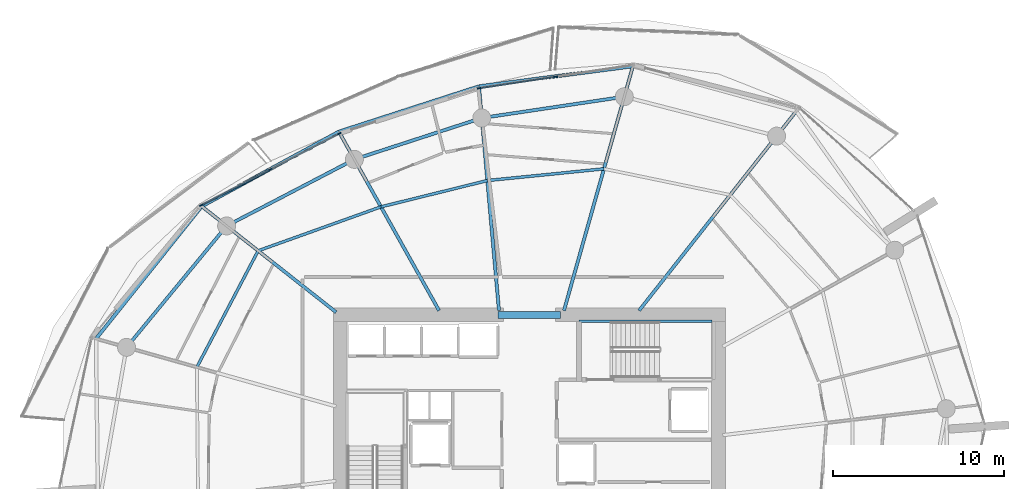
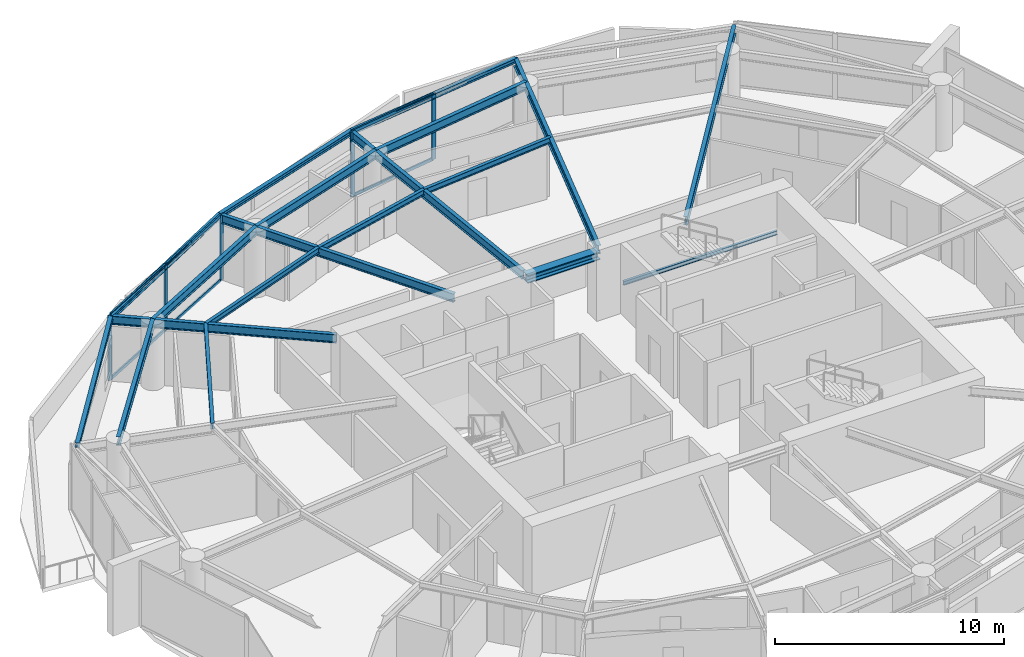
# One storey, part 8 of 20: 19 beams, 11 members, 2 elements without a shape of their own.
"""IFC4 building model written with IfcOpenShell, lengths in metres."""

import ifcopenshell
import ifcopenshell.guid

model = None  # the IFC model being written
_history = None  # IfcOwnerHistory: only IFC2X3 demands one
_inside = {}  # id of a spatial element -> (the spatial element, [elements in it])
_under = {}  # id of a project, library or spatial element -> (it, [spatial elements below it])
_declared = {}  # id of a project -> (the project, [libraries it declares])
_typed = {}  # id of a type object -> (the type object, [elements of that type])
_made_of = {}  # id of a material, layer set ... -> (it, [elements and type objects made of it])


def new_model(schema):
    """Start an empty IFC model of exactly this schema.

    Asked for "IFC4X3", IfcOpenShell would pick the latest addendum, in which some entities
    have other attributes; the version numbers below select the first issue.
    IFC2X3 requires an IfcOwnerHistory on every rooted entity: one is made here for all.
    """
    global model, _history
    if schema == "IFC4X3":
        model = ifcopenshell.file(schema_version=(4, 3, 0, 0))
    else:
        model = ifcopenshell.file(schema=schema)
    _inside.clear()
    _under.clear()
    _declared.clear()
    _typed.clear()
    _made_of.clear()
    _history = None
    if model.schema == "IFC2X3":
        org = make("IfcOrganization", Name="unknown")
        user = make(
            "IfcPersonAndOrganization",
            ThePerson=make("IfcPerson", FamilyName="unknown"),
            TheOrganization=org,
        )
        app = make(
            "IfcApplication",
            ApplicationDeveloper=org,
            Version="unknown",
            ApplicationFullName="unknown",
            ApplicationIdentifier="unknown",
        )
        _history = make(
            "IfcOwnerHistory",
            OwningUser=user,
            OwningApplication=app,
            ChangeAction="ADDED",
            CreationDate=0,
        )
    return model


def make(cls, **values):
    """One entity of the class cls with the attributes given. An attribute that is None is left unset."""
    return model.create_entity(
        cls, **{name: value for name, value in values.items() if value is not None}
    )


def rooted(cls, **values):
    """An entity with a GlobalId (a new one), such as an element, a storey or a relation."""
    return make(cls, GlobalId=ifcopenshell.guid.new(), OwnerHistory=_history, **values)


def si_unit(unit_type, name, prefix=None):
    """IfcSIUnit, for example si_unit("LENGTHUNIT", "METRE", prefix="MILLI")."""
    return make("IfcSIUnit", UnitType=unit_type, Prefix=prefix, Name=name)


def assignment(units):
    """IfcUnitAssignment: the units of a project."""
    return None if units is None else make("IfcUnitAssignment", Units=units)


def point(xyz):
    """IfcCartesianPoint."""
    return None if xyz is None else make("IfcCartesianPoint", Coordinates=xyz)


def direction(xyz):
    """IfcDirection."""
    return None if xyz is None else make("IfcDirection", DirectionRatios=xyz)


def frame(location, z_axis=None, x_axis=None):
    """IfcAxis2Placement3D, a coordinate frame: its origin and axes. An axis left out is left unset."""
    return make(
        "IfcAxis2Placement3D",
        Location=point(location),
        Axis=direction(z_axis),
        RefDirection=direction(x_axis),
    )


def frame_2d(location, x_axis=None):
    """IfcAxis2Placement2D, a coordinate frame in the plane: its origin and x axis."""
    return make(
        "IfcAxis2Placement2D", Location=point(location), RefDirection=direction(x_axis)
    )


def origin():
    """The frame at (0, 0, 0) with its axes left unset."""
    return frame((0.0, 0.0, 0.0))


def origin_2d():
    """The frame at (0, 0) in the plane with its x axis left unset."""
    return frame_2d((0.0, 0.0))


def place(relative_to, where):
    """IfcLocalPlacement: puts the frame where relative to a parent placement (None: the world)."""
    return make(
        "IfcLocalPlacement", PlacementRelTo=relative_to, RelativePlacement=where
    )


def context(
    kind, dimensions, precision=None, world=None, true_north=None, identifier=None
):
    """IfcGeometricRepresentationContext, for example the 3D "Model" context."""
    return make(
        "IfcGeometricRepresentationContext",
        ContextIdentifier=identifier,
        ContextType=kind,
        CoordinateSpaceDimension=dimensions,
        Precision=precision,
        WorldCoordinateSystem=world,
        TrueNorth=true_north,
    )


def subcontext(parent, identifier, kind, view, scale=None):
    """IfcGeometricRepresentationSubContext, for example "Body" below "Model"."""
    return make(
        "IfcGeometricRepresentationSubContext",
        ContextIdentifier=identifier,
        ContextType=kind,
        ParentContext=parent,
        TargetScale=scale,
        TargetView=view,
    )


def project(units=None, contexts=None):
    """IfcProject with its units and contexts."""
    return rooted(
        "IfcProject",
        Name="project",
        RepresentationContexts=contexts,
        UnitsInContext=assignment(units),
    )


def spatial(cls, under=None, at=None, **own):
    """A site, building, storey or space (cls), placed at a placement, below another one or the project."""
    s = rooted(cls, ObjectPlacement=at, **own)
    if under is not None:
        _under.setdefault(under.id(), (under, []))[1].append(s)
    return s


def profile(cls, at=None, kind="AREA", **sizes):
    """A parametric profile (cls). Its sizes go by their IFC names, for example OverallWidth=200.0."""
    return make(cls, ProfileType=kind, Position=at, **sizes)


def rectangle(**sizes):
    """IfcRectangleProfileDef."""
    return profile("IfcRectangleProfileDef", **sizes)


def i_section(**sizes):
    """IfcIShapeProfileDef."""
    return profile("IfcIShapeProfileDef", **sizes)


def extrude(swept, where, along, depth):
    """IfcExtrudedAreaSolid: the profile swept, set in the frame where, extruded along a direction by depth."""
    return make(
        "IfcExtrudedAreaSolid",
        SweptArea=swept,
        Position=where,
        ExtrudedDirection=direction(along),
        Depth=depth,
    )


def shape(context_of_items, identifier, shape_type, items):
    """IfcShapeRepresentation: the items that make up one representation, for example the "Body"."""
    return make(
        "IfcShapeRepresentation",
        ContextOfItems=context_of_items,
        RepresentationIdentifier=identifier,
        RepresentationType=shape_type,
        Items=items,
    )


def material(Name=None, Category=None):
    """IfcMaterial."""
    return make("IfcMaterial", Name=Name, Category=Category)


def layer(
    of_material, thickness, ventilated=None, Name=None, Category=None, Priority=None
):
    """IfcMaterialLayer: one layer of a wall or slab, of a material (None: an air gap)."""
    return make(
        "IfcMaterialLayer",
        Material=of_material,
        LayerThickness=thickness,
        IsVentilated=ventilated,
        Name=Name,
        Category=Category,
        Priority=Priority,
    )


def layer_set(layers, Name=None):
    """IfcMaterialLayerSet."""
    return make("IfcMaterialLayerSet", MaterialLayers=layers, LayerSetName=Name)


def material_profile(
    of_material, cross_section, Name=None, Category=None, Priority=None
):
    """IfcMaterialProfile: a cross section and its material."""
    return make(
        "IfcMaterialProfile",
        Name=Name,
        Material=of_material,
        Profile=cross_section,
        Priority=Priority,
        Category=Category,
    )


def profile_set(profiles, Name=None, composite=None):
    """IfcMaterialProfileSet."""
    return make(
        "IfcMaterialProfileSet",
        Name=Name,
        MaterialProfiles=profiles,
        CompositeProfile=composite,
    )


def made_of(thing, what):
    """Note that an element or type object is made of a material, layer set ...; save() writes the relation."""
    if what is not None:
        _made_of.setdefault(what.id(), (what, []))[1].append(thing)
    return thing


def type_object(cls, material=None, **own):
    """A type object (cls), such as IfcWallType, which elements share."""
    return made_of(rooted(cls, **own), material)


def element(
    cls,
    number,
    at=None,
    inside=None,
    cuts=None,
    type_object=None,
    material=None,
    context=None,
    identifier="Body",
    shape_type=None,
    held_by="IfcProductDefinitionShape",
    body=None,
    shapes=None,
    **own,
):
    """One element of the class cls, such as IfcWall. Its Tag is "e" and its number.

    at: its placement. inside: the storey or other place that contains it. cuts: it is an
    opening in that element (IfcRelVoidsElement). A single representation is given by context,
    identifier, shape_type and body (its items); several are given by shapes. held_by: the class
    of the entity that holds the representations. save() writes the other relations.
    """
    e = rooted(cls, Tag="e%d" % number, ObjectPlacement=at, **own)
    if body is not None:
        shapes = [shape(context, identifier, shape_type, body)]
    if shapes is not None:
        e.Representation = make(held_by, Representations=shapes)
    if inside is not None:
        _inside.setdefault(inside.id(), (inside, []))[1].append(e)
    if cuts is not None:
        rooted(
            "IfcRelVoidsElement", RelatingBuildingElement=cuts, RelatedOpeningElement=e
        )
    if type_object is not None:
        _typed.setdefault(type_object.id(), (type_object, []))[1].append(e)
    return made_of(e, material)


def aggregate(whole, parts):
    """IfcRelAggregates: a whole, such as a stair, and the parts it consists of."""
    return rooted("IfcRelAggregates", RelatingObject=whole, RelatedObjects=parts)


def save(model, path):
    """Write the relations noted so far, then the file.

    IfcRelAggregates (storeys below a building ...), IfcRelContainedInSpatialStructure (elements
    in a storey), IfcRelDefinesByType, IfcRelAssociatesMaterial and IfcRelDeclares: one each for
    every whole, place, type object, material and project.
    """
    for whole, parts in _under.values():
        aggregate(whole, parts)
    for where, things in _inside.values():
        rooted(
            "IfcRelContainedInSpatialStructure",
            RelatedElements=things,
            RelatingStructure=where,
        )
    for kind, things in _typed.values():
        rooted("IfcRelDefinesByType", RelatedObjects=things, RelatingType=kind)
    for what, things in _made_of.values():
        rooted("IfcRelAssociatesMaterial", RelatedObjects=things, RelatingMaterial=what)
    for by, libraries in _declared.values():
        rooted("IfcRelDeclares", RelatingContext=by, RelatedDefinitions=libraries)
    model.write(path)


model = new_model("IFC4")

# Units and contexts
model_context = context("Model", 3, precision=1e-05, world=origin(), true_north=direction((0.0, 1.0)))
body_context = subcontext(model_context, "Body", "Model", "MODEL_VIEW")
ifc_project = project(units=[si_unit("LENGTHUNIT", "METRE"), si_unit("AREAUNIT", "SQUARE_METRE"), si_unit("VOLUMEUNIT", "CUBIC_METRE"), si_unit("PLANEANGLEUNIT", "RADIAN"), si_unit("MASSUNIT", "GRAM", prefix="KILO")], contexts=[model_context])

# Site, building, storey
site_placement = place(None, origin())
site = spatial("IfcSite", under=ifc_project, at=site_placement, CompositionType="ELEMENT")
building_placement = place(site_placement, origin())
building = spatial("IfcBuilding", under=site, at=building_placement, Name="Kazma Halo Residences", CompositionType="ELEMENT")
storey_placement = place(building_placement, frame((0.0, 0.0, 161.550048828125)))
storey = spatial("IfcBuildingStorey", under=building, at=storey_placement, Name="L40", CompositionType="ELEMENT", Elevation=161.550048828125)

# Beams
ifc_material_1 = material(Name="Steel S355", Category="steel")
ifc_material_profile_1 = material_profile(ifc_material_1, i_section(OverallWidth=0.201904296875, OverallDepth=0.2470703125, WebThickness=0.00732421875, FlangeThickness=0.010986328125, FilletRadius=0.011962890625, at=origin_2d()), Name="W250x49.1")
ifc_profile_set_1 = profile_set([ifc_material_profile_1], Name="Steel S355")
beam_type_1 = type_object("IfcBeamType", Name="BM-BAL-CANT", PredefinedType="BEAM", material=ifc_profile_set_1)
beam_1_placement = place(storey_placement, frame((54.459228515625, 64.90234375, 3.37646484375), z_axis=(-0.991489228614, -0.130188745839, 0.0), x_axis=(0.130188745839, -0.991489228614, 0.0)))
element("IfcBeam", 1, at=beam_1_placement, inside=storey, type_object=beam_type_1, Name="L40 wave-balcony tie beam 03", PredefinedType="BEAM", context=body_context, shape_type="SweptSolid", body=[
    extrude(i_section(OverallWidth=0.201904296875, OverallDepth=0.2470703125, WebThickness=0.00732421875, FlangeThickness=0.010986328125, FilletRadius=0.011962890625, at=origin_2d()), origin(), (0.0, 0.0, 1.0), 9.053955078125),
])
beam_2_placement = place(storey_placement, frame((45.482421875, 63.7236328125, 3.37646484375), z_axis=(-0.951458235255, -0.307777885115, 0.0), x_axis=(0.307777885115, -0.951458235255, 0.0)))
element("IfcBeam", 2, at=beam_2_placement, inside=storey, type_object=beam_type_1, Name="L40 wave-balcony tie beam 04", PredefinedType="BEAM", context=body_context, shape_type="SweptSolid", body=[
    extrude(i_section(OverallWidth=0.201904296875, OverallDepth=0.2470703125, WebThickness=0.00732421875, FlangeThickness=0.010986328125, FilletRadius=0.011962890625, at=origin_2d()), origin(), (0.0, 0.0, 1.0), 8.585205078125),
])
beam_3_placement = place(storey_placement, frame((37.31396484375, 61.081298828125, 3.37646484375), z_axis=(-0.878572913315, -0.477608245312, 0.0), x_axis=(0.477608245312, -0.878572913315, 0.0)))
element("IfcBeam", 3, at=beam_3_placement, inside=storey, type_object=beam_type_1, Name="L40 wave-balcony tie beam 05", PredefinedType="BEAM", context=body_context, shape_type="SweptSolid", body=[
    extrude(i_section(OverallWidth=0.201904296875, OverallDepth=0.2470703125, WebThickness=0.00732421875, FlangeThickness=0.010986328125, FilletRadius=0.011962890625, at=origin_2d()), origin(), (0.0, 0.0, 1.0), 9.107177734375),
])
beam_4_placement = place(storey_placement, frame((29.312744140625, 56.731689453125, 3.37646484375), z_axis=(-0.623742400336, -0.781629975131, 0.0), x_axis=(0.781629975131, -0.623742400336, 0.0)))
element("IfcBeam", 4, at=beam_4_placement, inside=storey, type_object=beam_type_1, Name="L40 wave-balcony tie beam 06", PredefinedType="BEAM", context=body_context, shape_type="SweptSolid", body=[
    extrude(i_section(OverallWidth=0.201904296875, OverallDepth=0.2470703125, WebThickness=0.00732421875, FlangeThickness=0.010986328125, FilletRadius=0.011962890625, at=origin_2d()), origin(), (0.0, 0.0, 1.0), 9.880859375),
])
ifc_material_profile_2 = material_profile(ifc_material_1, i_section(OverallWidth=0.408935546875, OverallDepth=0.425048828125, WebThickness=0.03271484375, FlangeThickness=0.052490234375, FilletRadius=0.02001953125, at=origin_2d()), Name="W360x421")
ifc_profile_set_2 = profile_set([ifc_material_profile_2], Name="Steel S355")
beam_type_2 = type_object("IfcBeamType", Name="BM-CORE-W360H", PredefinedType="BEAM", material=ifc_profile_set_2)
beam_5_placement = place(storey_placement, frame((46.60009765625, 50.39990234375, 3.287353515625), z_axis=(1.0, 0.0, 0.0), x_axis=(0.0, 1.0, 0.0)))
element("IfcBeam", 5, at=beam_5_placement, inside=storey, type_object=beam_type_2, Name="L40 core coupling beam N", PredefinedType="BEAM", context=body_context, shape_type="SweptSolid", body=[
    extrude(i_section(OverallWidth=0.408935546875, OverallDepth=0.425048828125, WebThickness=0.03271484375, FlangeThickness=0.052490234375, FilletRadius=0.02001953125, at=origin_2d()), origin(), (0.0, 0.0, 1.0), 3.64990234375),
])
ifc_material_profile_3 = material_profile(ifc_material_1, i_section(OverallWidth=0.18994140625, OverallDepth=0.45703125, WebThickness=0.009033203125, FlangeThickness=0.014404296875, FilletRadius=0.01611328125, at=origin_2d()), Name="W460x74")
ifc_profile_set_3 = profile_set([ifc_material_profile_3], Name="Steel S355")
beam_type_3 = type_object("IfcBeamType", Name="BM-RAD-W460", PredefinedType="BEAM", material=ifc_profile_set_3)
beam_6_placement = place(storey_placement, frame((54.819091796875, 50.64990234375, 3.271484375), z_axis=(0.619094498239, 0.785316498139, 0.0), x_axis=(-0.785316498139, 0.619094498239, 0.0)))
element("IfcBeam", 6, at=beam_6_placement, inside=storey, type_object=beam_type_3, Name="L40 radial floor beam 02", PredefinedType="BEAM", context=body_context, shape_type="SweptSolid", body=[
    extrude(i_section(OverallWidth=0.18994140625, OverallDepth=0.45703125, WebThickness=0.009033203125, FlangeThickness=0.014404296875, FilletRadius=0.01611328125, at=origin_2d()), origin(), (0.0, 0.0, 1.0), 14.80517578125),
])
beam_7_placement = place(storey_placement, frame((50.439697265625, 50.64990234375, 3.271484375), z_axis=(0.271435886816, 0.962456523355, 0.0), x_axis=(-0.962456523355, 0.271435886816, 0.0)))
element("IfcBeam", 7, at=beam_7_placement, inside=storey, type_object=beam_type_3, Name="L40 radial floor beam 03", PredefinedType="BEAM", context=body_context, shape_type="SweptSolid", body=[
    extrude(i_section(OverallWidth=0.18994140625, OverallDepth=0.45703125, WebThickness=0.009033203125, FlangeThickness=0.014404296875, FilletRadius=0.01611328125, at=origin_2d()), origin(), (0.0, 0.0, 1.0), 14.808349609375),
])
beam_8_placement = place(storey_placement, frame((46.64990234375, 50.64990234375, 3.271484375), z_axis=(-0.088945777727, 0.996036469525, 0.0), x_axis=(-0.996036469525, -0.088945777727, 0.0)))
element("IfcBeam", 8, at=beam_8_placement, inside=storey, type_object=beam_type_3, Name="L40 radial floor beam 04", PredefinedType="BEAM", context=body_context, shape_type="SweptSolid", body=[
    extrude(i_section(OverallWidth=0.18994140625, OverallDepth=0.45703125, WebThickness=0.009033203125, FlangeThickness=0.014404296875, FilletRadius=0.01611328125, at=origin_2d()), origin(), (0.0, 0.0, 1.0), 13.125732421875),
])
beam_9_placement = place(storey_placement, frame((43.15576171875, 50.64990234375, 3.271484375), z_axis=(-0.488617048735, 0.872498355119, 0.0), x_axis=(-0.872498355119, -0.488617048735, 0.0)))
element("IfcBeam", 9, at=beam_9_placement, inside=storey, type_object=beam_type_3, Name="L40 radial floor beam 05", PredefinedType="BEAM", context=body_context, shape_type="SweptSolid", body=[
    extrude(i_section(OverallWidth=0.18994140625, OverallDepth=0.45703125, WebThickness=0.009033203125, FlangeThickness=0.014404296875, FilletRadius=0.01611328125, at=origin_2d()), origin(), (0.0, 0.0, 1.0), 11.955810546875),
])
beam_10_placement = place(storey_placement, frame((37.14990234375, 50.553466796875, 3.271484375), z_axis=(-0.785321544409, 0.619088097032, 0.0), x_axis=(-0.619088097032, -0.785321544409, 0.0)))
element("IfcBeam", 10, at=beam_10_placement, inside=storey, type_object=beam_type_3, Name="L40 radial floor beam 06", PredefinedType="BEAM", context=body_context, shape_type="SweptSolid", body=[
    extrude(i_section(OverallWidth=0.18994140625, OverallDepth=0.45703125, WebThickness=0.009033203125, FlangeThickness=0.014404296875, FilletRadius=0.01611328125, at=origin_2d()), origin(), (0.0, 0.0, 1.0), 9.9794921875),
])
ifc_material_profile_4 = material_profile(ifc_material_1, i_section(OverallWidth=0.1650390625, OverallDepth=0.31005859375, WebThickness=0.005859375, FlangeThickness=0.009765625, FilletRadius=0.011962890625, at=origin_2d()), Name="W310x38.7")
ifc_profile_set_4 = profile_set([ifc_material_profile_4], Name="Steel S355")
beam_type_4 = type_object("IfcBeamType", Name="BM-SEC-W310B", PredefinedType="JOIST", material=ifc_profile_set_4)
beam_11_placement = place(storey_placement, frame((52.77099609375, 58.91650390625, 3.344970703125), z_axis=(-0.994979001613, -0.100083896557, 0.0), x_axis=(0.100083896557, -0.994979001613, 0.0)))
element("IfcBeam", 11, at=beam_11_placement, inside=storey, type_object=beam_type_4, Name="L40 circumferential floor joist 03", PredefinedType="JOIST", context=body_context, shape_type="SweptSolid", body=[
    extrude(i_section(OverallWidth=0.1650390625, OverallDepth=0.31005859375, WebThickness=0.005859375, FlangeThickness=0.009765625, FilletRadius=0.011962890625, at=origin_2d()), origin(), (0.0, 0.0, 1.0), 6.832763671875),
])
beam_12_placement = place(storey_placement, frame((45.97265625, 58.232666015625, 3.344970703125), z_axis=(-0.970830601663, -0.239766434004, 0.0), x_axis=(0.239766434004, -0.970830601663, 0.0)))
element("IfcBeam", 12, at=beam_12_placement, inside=storey, type_object=beam_type_4, Name="L40 circumferential floor joist 04", PredefinedType="JOIST", context=body_context, shape_type="SweptSolid", body=[
    extrude(i_section(OverallWidth=0.1650390625, OverallDepth=0.31005859375, WebThickness=0.005859375, FlangeThickness=0.009765625, FilletRadius=0.011962890625, at=origin_2d()), origin(), (0.0, 0.0, 1.0), 6.3916015625),
])
beam_13_placement = place(storey_placement, frame((39.767578125, 56.7001953125, 3.344970703125), z_axis=(-0.941534087973, -0.336917736525, 0.0), x_axis=(0.336917736525, -0.941534087973, 0.0)))
element("IfcBeam", 13, at=beam_13_placement, inside=storey, type_object=beam_type_4, Name="L40 circumferential floor joist 05", PredefinedType="JOIST", context=body_context, shape_type="SweptSolid", body=[
    extrude(i_section(OverallWidth=0.1650390625, OverallDepth=0.31005859375, WebThickness=0.005859375, FlangeThickness=0.009765625, FilletRadius=0.011962890625, at=origin_2d()), origin(), (0.0, 0.0, 1.0), 7.60791015625),
])
beam_14_placement = place(storey_placement, frame((32.6044921875, 54.136962890625, 3.344970703125), z_axis=(-0.466019257875, -0.884774576539, 0.0), x_axis=(0.884774576539, -0.466019257875, 0.0)))
element("IfcBeam", 14, at=beam_14_placement, inside=storey, type_object=beam_type_4, Name="L40 circumferential floor joist 06", PredefinedType="JOIST", context=body_context, shape_type="SweptSolid", body=[
    extrude(i_section(OverallWidth=0.1650390625, OverallDepth=0.31005859375, WebThickness=0.005859375, FlangeThickness=0.009765625, FilletRadius=0.011962890625, at=origin_2d()), origin(), (0.0, 0.0, 1.0), 7.670654296875),
])
ifc_material_profile_5 = material_profile(ifc_material_1, i_section(OverallWidth=0.18994140625, OverallDepth=0.45703125, WebThickness=0.009033203125, FlangeThickness=0.014404296875, FilletRadius=0.01611328125, at=origin_2d()), Name="W460x74")
ifc_profile_set_5 = profile_set([ifc_material_profile_5], Name="Steel S355")
beam_type_5 = type_object("IfcBeamType", Name="BM-SPN-W460", PredefinedType="BEAM", material=ifc_profile_set_5)
beam_15_placement = place(storey_placement, frame((53.95703125, 63.121826171875, 3.271484375), z_axis=(-0.989037147603, -0.147666924735, 0.0), x_axis=(0.147666924735, -0.989037147603, 0.0)))
element("IfcBeam", 15, at=beam_15_placement, inside=storey, type_object=beam_type_5, Name="L40 perimeter ring beam 03", PredefinedType="BEAM", context=body_context, shape_type="SweptSolid", body=[
    extrude(i_section(OverallWidth=0.18994140625, OverallDepth=0.45703125, WebThickness=0.009033203125, FlangeThickness=0.014404296875, FilletRadius=0.01611328125, at=origin_2d()), origin(), (0.0, 0.0, 1.0), 8.402099609375),
])
beam_16_placement = place(storey_placement, frame((45.64697265625, 61.881103515625, 3.271484375), z_axis=(-0.95105634578, -0.309017519167, 0.0), x_axis=(0.309017519167, -0.95105634578, 0.0)))
element("IfcBeam", 16, at=beam_16_placement, inside=storey, type_object=beam_type_5, Name="L40 perimeter ring beam 04", PredefinedType="BEAM", context=body_context, shape_type="SweptSolid", body=[
    extrude(i_section(OverallWidth=0.18994140625, OverallDepth=0.45703125, WebThickness=0.009033203125, FlangeThickness=0.014404296875, FilletRadius=0.01611328125, at=origin_2d()), origin(), (0.0, 0.0, 1.0), 7.811279296875),
])
beam_17_placement = place(storey_placement, frame((38.218017578125, 59.46728515625, 3.271484375), z_axis=(-0.886943099021, -0.461878706046, 0.0), x_axis=(0.461878706046, -0.886943099021, 0.0)))
element("IfcBeam", 17, at=beam_17_placement, inside=storey, type_object=beam_type_5, Name="L40 perimeter ring beam 05", PredefinedType="BEAM", context=body_context, shape_type="SweptSolid", body=[
    extrude(i_section(OverallWidth=0.18994140625, OverallDepth=0.45703125, WebThickness=0.009033203125, FlangeThickness=0.014404296875, FilletRadius=0.01611328125, at=origin_2d()), origin(), (0.0, 0.0, 1.0), 8.40234375),
])
beam_18_placement = place(storey_placement, frame((30.765625, 55.58642578125, 3.271484375), z_axis=(-0.636018723515, -0.771673624882, 0.0), x_axis=(0.771673624882, -0.636018723515, 0.0)))
element("IfcBeam", 18, at=beam_18_placement, inside=storey, type_object=beam_type_5, Name="L40 perimeter ring beam 06", PredefinedType="BEAM", context=body_context, shape_type="SweptSolid", body=[
    extrude(i_section(OverallWidth=0.18994140625, OverallDepth=0.45703125, WebThickness=0.009033203125, FlangeThickness=0.014404296875, FilletRadius=0.01611328125, at=origin_2d()), origin(), (0.0, 0.0, 1.0), 9.175048828125),
])
ifc_material_profile_6 = material_profile(ifc_material_1, i_section(OverallWidth=0.133056640625, OverallDepth=0.20703125, WebThickness=0.005859375, FlangeThickness=0.00830078125, FilletRadius=0.010009765625, at=origin_2d()), Name="W200x26.6")
ifc_profile_set_6 = profile_set([ifc_material_profile_6], Name="Steel S355")
beam_type_6 = type_object("IfcBeamType", Name="BM-TRIM-W200", PredefinedType="BEAM", material=ifc_profile_set_6)
beam_19_placement = place(storey_placement, frame((51.31005859375, 50.02001953125, 1.570068359375), z_axis=(1.0, 0.0, 0.0), x_axis=(0.0, 1.0, 0.0)))
element("IfcBeam", 19, at=beam_19_placement, inside=storey, type_object=beam_type_6, Name="L40 ST-02 landing north wall ledger", PredefinedType="BEAM", context=body_context, shape_type="SweptSolid", body=[
    extrude(i_section(OverallWidth=0.133056640625, OverallDepth=0.20703125, WebThickness=0.005859375, FlangeThickness=0.00830078125, FilletRadius=0.010009765625, at=origin_2d()), origin(), (0.0, 0.0, 1.0), 7.760009765625),
])

# Curtain wall, members
ifc_material_2 = material(Name="Aluminium AW-6063 T6 and Triple-Silver Low-E Glass", Category="aluminium")
ifc_layer = layer(ifc_material_2, 0.219970703125)
ifc_layer_set = layer_set([ifc_layer], Name="Aluminium AW-6063 T6 and Triple-Silver Low-E Glass")
curtain_wall_type = type_object("IfcCurtainWallType", Name="CW-SYS-4", PredefinedType="NOTDEFINED", material=ifc_layer_set)
curtain_wall_1_placement = place(storey_placement, origin())
curtain_wall_1 = element("IfcCurtainWall", 20, at=curtain_wall_1_placement, inside=storey, type_object=curtain_wall_type, Name="L40 unitised curtain wall B03", PredefinedType="NOTDEFINED")
ifc_material_3 = material(Name="Aluminium AW-6063 T6", Category="aluminium")
ifc_material_profile_7 = material_profile(ifc_material_3, rectangle(XDim=0.074951171875, YDim=0.219970703125, at=origin_2d()), Name="CWM-75x220")
ifc_profile_set_7 = profile_set([ifc_material_profile_7], Name="Aluminium AW-6063 T6")
member_type_1 = type_object("IfcMemberType", Name="CW-SYS-4-MUL", PredefinedType="MULLION", material=ifc_profile_set_7)
member_1_placement = place(storey_placement, frame((49.960205078125, 64.28857421875, 0.0), z_axis=(0.0, 0.0, 1.0), x_axis=(0.148821022686, -0.988864148004, 0.0)))
member_1 = element("IfcMember", 21, at=member_1_placement, type_object=member_type_1, Name="CWS-4 mullion 2", PredefinedType="MULLION", context=body_context, shape_type="SweptSolid", body=[
    extrude(rectangle(XDim=0.074951171875, YDim=0.219970703125, at=origin_2d()), origin(), (0.0, 0.0, 1.0), 3.5),
])
member_2_placement = place(storey_placement, frame((45.4794921875, 63.6142578125, 0.0), z_axis=(0.0, 0.0, 1.0), x_axis=(0.148821022686, -0.988864148004, 0.0)))
member_2 = element("IfcMember", 22, at=member_2_placement, type_object=member_type_1, Name="CWS-4 mullion 3", PredefinedType="MULLION", context=body_context, shape_type="SweptSolid", body=[
    extrude(rectangle(XDim=0.074951171875, YDim=0.219970703125, at=origin_2d()), origin(), (0.0, 0.0, 1.0), 3.5),
])

curtain_wall_2_placement = place(storey_placement, origin())
curtain_wall_2 = element("IfcCurtainWall", 23, at=curtain_wall_2_placement, inside=storey, type_object=curtain_wall_type, Name="L40 unitised curtain wall B05", PredefinedType="NOTDEFINED")
member_3_placement = place(storey_placement, frame((37.33447265625, 60.9677734375, 0.0), z_axis=(0.0, 0.0, 1.0), x_axis=(0.460837484552, -0.887484542306, 0.0)))
member_3 = element("IfcMember", 24, at=member_3_placement, type_object=member_type_1, Name="CWS-4 mullion 1", PredefinedType="MULLION", context=body_context, shape_type="SweptSolid", body=[
    extrude(rectangle(XDim=0.074951171875, YDim=0.219970703125, at=origin_2d()), origin(), (0.0, 0.0, 1.0), 3.5),
])
member_4_placement = place(storey_placement, frame((33.313232421875, 58.879638671875, 0.0), z_axis=(0.0, 0.0, 1.0), x_axis=(0.460837484552, -0.887484542306, 0.0)))
member_4 = element("IfcMember", 25, at=member_4_placement, type_object=member_type_1, Name="CWS-4 mullion 2", PredefinedType="MULLION", context=body_context, shape_type="SweptSolid", body=[
    extrude(rectangle(XDim=0.074951171875, YDim=0.219970703125, at=origin_2d()), origin(), (0.0, 0.0, 1.0), 3.5),
])
member_5_placement = place(storey_placement, frame((29.2919921875, 56.791748046875, 0.0), z_axis=(0.0, 0.0, 1.0), x_axis=(0.460837484552, -0.887484542306, 0.0)))
member_5 = element("IfcMember", 26, at=member_5_placement, type_object=member_type_1, Name="CWS-4 mullion 3", PredefinedType="MULLION", context=body_context, shape_type="SweptSolid", body=[
    extrude(rectangle(XDim=0.074951171875, YDim=0.219970703125, at=origin_2d()), origin(), (0.0, 0.0, 1.0), 3.5),
])

# Member
ifc_material_profile_8 = material_profile(ifc_material_3, rectangle(XDim=0.074951171875, YDim=0.1650390625, at=origin_2d()), Name="CWT-75x165")
ifc_profile_set_8 = profile_set([ifc_material_profile_8], Name="Aluminium AW-6063 T6")
member_type_2 = type_object("IfcMemberType", Name="CW-SYS-4-TRN", PredefinedType="USERDEFINED", material=ifc_profile_set_8)
member_6_placement = place(storey_placement, frame((49.923095703125, 64.282958984375, 0.037353515625), z_axis=(-0.988866721231, -0.148803923478, 0.0), x_axis=(0.148803923478, -0.988866721231, 0.0)))
member_6 = element("IfcMember", 27, at=member_6_placement, type_object=member_type_2, Name="CWS-4 transom 2.1", ObjectType="TRANSOM", PredefinedType="USERDEFINED", context=body_context, shape_type="SweptSolid", body=[
    extrude(rectangle(XDim=0.074951171875, YDim=0.1650390625, at=origin_2d()), origin(), (0.0, 0.0, 1.0), 4.4560546875),
])

member_7_placement = place(storey_placement, frame((49.923095703125, 64.282958984375, 3.46240234375), z_axis=(-0.988866721231, -0.148803923478, 0.0), x_axis=(0.148803923478, -0.988866721231, 0.0)))
member_7 = element("IfcMember", 28, at=member_7_placement, type_object=member_type_2, Name="CWS-4 transom 2.2", ObjectType="TRANSOM", PredefinedType="USERDEFINED", context=body_context, shape_type="SweptSolid", body=[
    extrude(rectangle(XDim=0.074951171875, YDim=0.1650390625, at=origin_2d()), origin(), (0.0, 0.0, 1.0), 4.4560546875),
])

aggregate(curtain_wall_1, [member_1, member_2, member_6, member_7])

member_8_placement = place(storey_placement, frame((37.30126953125, 60.950439453125, 0.037353515625), z_axis=(-0.887484872803, -0.460836848077, 0.0), x_axis=(0.460836848077, -0.887484872803, 0.0)))
member_8 = element("IfcMember", 29, at=member_8_placement, type_object=member_type_2, Name="CWS-4 transom 1.1", ObjectType="TRANSOM", PredefinedType="USERDEFINED", context=body_context, shape_type="SweptSolid", body=[
    extrude(rectangle(XDim=0.074951171875, YDim=0.1650390625, at=origin_2d()), origin(), (0.0, 0.0, 1.0), 4.4560546875),
])

member_9_placement = place(storey_placement, frame((37.30126953125, 60.950439453125, 3.46240234375), z_axis=(-0.887484872803, -0.460836848077, 0.0), x_axis=(0.460836848077, -0.887484872803, 0.0)))
member_9 = element("IfcMember", 30, at=member_9_placement, type_object=member_type_2, Name="CWS-4 transom 1.2", ObjectType="TRANSOM", PredefinedType="USERDEFINED", context=body_context, shape_type="SweptSolid", body=[
    extrude(rectangle(XDim=0.074951171875, YDim=0.1650390625, at=origin_2d()), origin(), (0.0, 0.0, 1.0), 4.4560546875),
])

member_10_placement = place(storey_placement, frame((33.280029296875, 58.862548828125, 0.037353515625), z_axis=(-0.887484872803, -0.460836848077, 0.0), x_axis=(0.460836848077, -0.887484872803, 0.0)))
member_10 = element("IfcMember", 31, at=member_10_placement, type_object=member_type_2, Name="CWS-4 transom 2.1", ObjectType="TRANSOM", PredefinedType="USERDEFINED", context=body_context, shape_type="SweptSolid", body=[
    extrude(rectangle(XDim=0.074951171875, YDim=0.1650390625, at=origin_2d()), origin(), (0.0, 0.0, 1.0), 4.4560546875),
])

member_11_placement = place(storey_placement, frame((33.280029296875, 58.862548828125, 3.46240234375), z_axis=(-0.887484872803, -0.460836848077, 0.0), x_axis=(0.460836848077, -0.887484872803, 0.0)))
member_11 = element("IfcMember", 32, at=member_11_placement, type_object=member_type_2, Name="CWS-4 transom 2.2", ObjectType="TRANSOM", PredefinedType="USERDEFINED", context=body_context, shape_type="SweptSolid", body=[
    extrude(rectangle(XDim=0.074951171875, YDim=0.1650390625, at=origin_2d()), origin(), (0.0, 0.0, 1.0), 4.4560546875),
])

aggregate(curtain_wall_2, [member_3, member_4, member_5, member_8, member_9, member_10, member_11])

save(model, "model.ifc")
